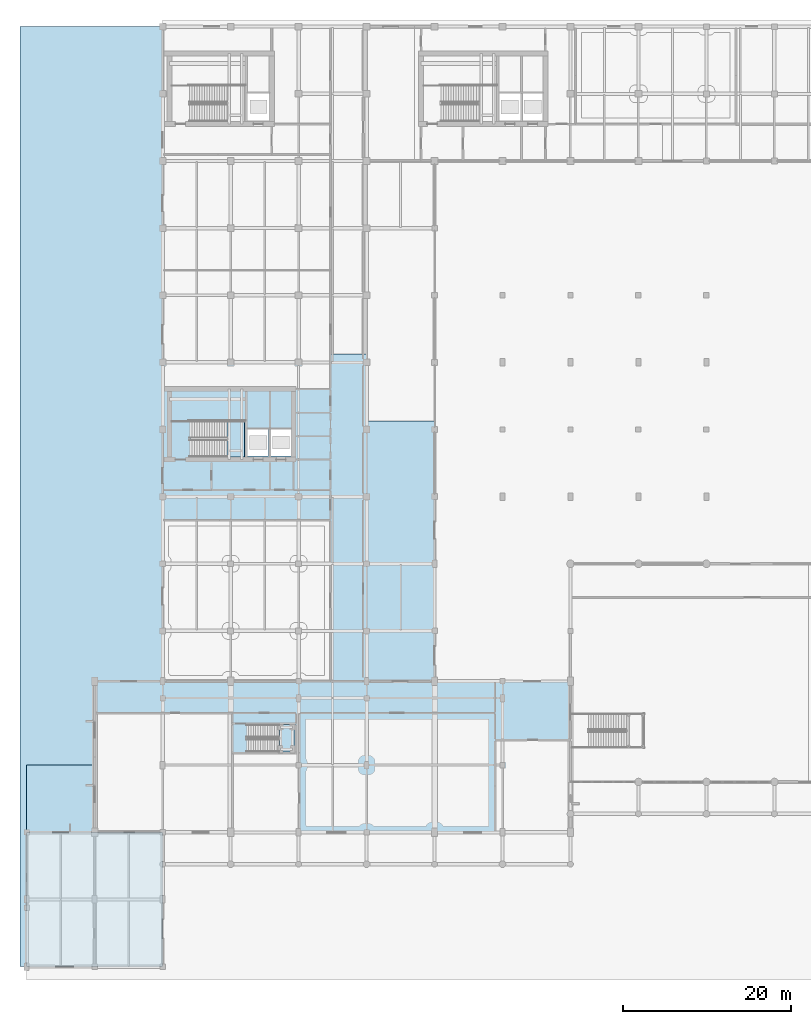
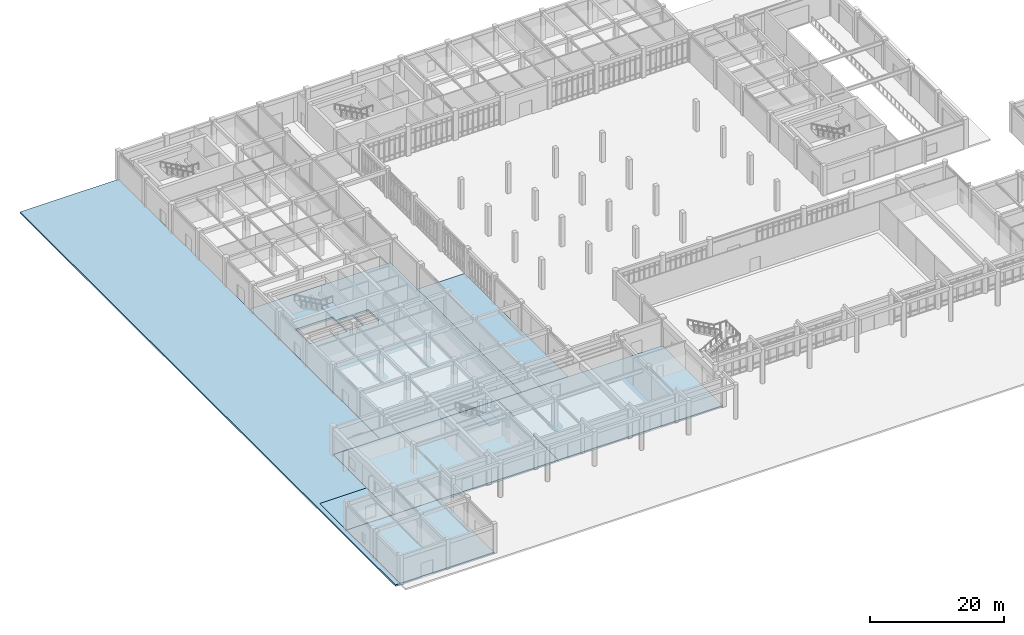
# One storey, part 28 of 62: 9 slabs, 2 elements without a shape of their own.
"""IFC4 building model written with IfcOpenShell, lengths in metres."""

import ifcopenshell
import ifcopenshell.guid

model = None  # the IFC model being written
_history = None  # IfcOwnerHistory: only IFC2X3 demands one
_inside = {}  # id of a spatial element -> (the spatial element, [elements in it])
_under = {}  # id of a project, library or spatial element -> (it, [spatial elements below it])
_declared = {}  # id of a project -> (the project, [libraries it declares])
_typed = {}  # id of a type object -> (the type object, [elements of that type])
_made_of = {}  # id of a material, layer set ... -> (it, [elements and type objects made of it])


def new_model(schema):
    """Start an empty IFC model of exactly this schema.

    Asked for "IFC4X3", IfcOpenShell would pick the latest addendum, in which some entities
    have other attributes; the version numbers below select the first issue.
    IFC2X3 requires an IfcOwnerHistory on every rooted entity: one is made here for all.
    """
    global model, _history
    if schema == "IFC4X3":
        model = ifcopenshell.file(schema_version=(4, 3, 0, 0))
    else:
        model = ifcopenshell.file(schema=schema)
    _inside.clear()
    _under.clear()
    _declared.clear()
    _typed.clear()
    _made_of.clear()
    _history = None
    if model.schema == "IFC2X3":
        org = make("IfcOrganization", Name="unknown")
        user = make(
            "IfcPersonAndOrganization",
            ThePerson=make("IfcPerson", FamilyName="unknown"),
            TheOrganization=org,
        )
        app = make(
            "IfcApplication",
            ApplicationDeveloper=org,
            Version="unknown",
            ApplicationFullName="unknown",
            ApplicationIdentifier="unknown",
        )
        _history = make(
            "IfcOwnerHistory",
            OwningUser=user,
            OwningApplication=app,
            ChangeAction="ADDED",
            CreationDate=0,
        )
    return model


def make(cls, **values):
    """One entity of the class cls with the attributes given. An attribute that is None is left unset."""
    return model.create_entity(
        cls, **{name: value for name, value in values.items() if value is not None}
    )


def rooted(cls, **values):
    """An entity with a GlobalId (a new one), such as an element, a storey or a relation."""
    return make(cls, GlobalId=ifcopenshell.guid.new(), OwnerHistory=_history, **values)


def si_unit(unit_type, name, prefix=None):
    """IfcSIUnit, for example si_unit("LENGTHUNIT", "METRE", prefix="MILLI")."""
    return make("IfcSIUnit", UnitType=unit_type, Prefix=prefix, Name=name)


def assignment(units):
    """IfcUnitAssignment: the units of a project."""
    return None if units is None else make("IfcUnitAssignment", Units=units)


def point(xyz):
    """IfcCartesianPoint."""
    return None if xyz is None else make("IfcCartesianPoint", Coordinates=xyz)


def direction(xyz):
    """IfcDirection."""
    return None if xyz is None else make("IfcDirection", DirectionRatios=xyz)


def frame(location, z_axis=None, x_axis=None):
    """IfcAxis2Placement3D, a coordinate frame: its origin and axes. An axis left out is left unset."""
    return make(
        "IfcAxis2Placement3D",
        Location=point(location),
        Axis=direction(z_axis),
        RefDirection=direction(x_axis),
    )


def origin():
    """The frame at (0, 0, 0) with its axes left unset."""
    return frame((0.0, 0.0, 0.0))


def place(relative_to, where):
    """IfcLocalPlacement: puts the frame where relative to a parent placement (None: the world)."""
    return make(
        "IfcLocalPlacement", PlacementRelTo=relative_to, RelativePlacement=where
    )


def context(
    kind, dimensions, precision=None, world=None, true_north=None, identifier=None
):
    """IfcGeometricRepresentationContext, for example the 3D "Model" context."""
    return make(
        "IfcGeometricRepresentationContext",
        ContextIdentifier=identifier,
        ContextType=kind,
        CoordinateSpaceDimension=dimensions,
        Precision=precision,
        WorldCoordinateSystem=world,
        TrueNorth=true_north,
    )


def subcontext(parent, identifier, kind, view, scale=None):
    """IfcGeometricRepresentationSubContext, for example "Body" below "Model"."""
    return make(
        "IfcGeometricRepresentationSubContext",
        ContextIdentifier=identifier,
        ContextType=kind,
        ParentContext=parent,
        TargetScale=scale,
        TargetView=view,
    )


def project(units=None, contexts=None):
    """IfcProject with its units and contexts."""
    return rooted(
        "IfcProject",
        Name="project",
        RepresentationContexts=contexts,
        UnitsInContext=assignment(units),
    )


def spatial(cls, under=None, at=None, **own):
    """A site, building, storey or space (cls), placed at a placement, below another one or the project."""
    s = rooted(cls, ObjectPlacement=at, **own)
    if under is not None:
        _under.setdefault(under.id(), (under, []))[1].append(s)
    return s


def polyline(points):
    """IfcPolyline through the points."""
    return make("IfcPolyline", Points=[point(p) for p in points])


def outline(outer, holes=None, kind="AREA"):
    """IfcArbitraryClosedProfileDef: a profile drawn as a closed curve; with holes, ...WithVoids."""
    if holes is None:
        return make("IfcArbitraryClosedProfileDef", ProfileType=kind, OuterCurve=outer)
    return make(
        "IfcArbitraryProfileDefWithVoids",
        ProfileType=kind,
        OuterCurve=outer,
        InnerCurves=holes,
    )


def extrude(swept, where, along, depth):
    """IfcExtrudedAreaSolid: the profile swept, set in the frame where, extruded along a direction by depth."""
    return make(
        "IfcExtrudedAreaSolid",
        SweptArea=swept,
        Position=where,
        ExtrudedDirection=direction(along),
        Depth=depth,
    )


def shape(context_of_items, identifier, shape_type, items):
    """IfcShapeRepresentation: the items that make up one representation, for example the "Body"."""
    return make(
        "IfcShapeRepresentation",
        ContextOfItems=context_of_items,
        RepresentationIdentifier=identifier,
        RepresentationType=shape_type,
        Items=items,
    )


def material(Name=None, Category=None):
    """IfcMaterial."""
    return make("IfcMaterial", Name=Name, Category=Category)


def layer(
    of_material, thickness, ventilated=None, Name=None, Category=None, Priority=None
):
    """IfcMaterialLayer: one layer of a wall or slab, of a material (None: an air gap)."""
    return make(
        "IfcMaterialLayer",
        Material=of_material,
        LayerThickness=thickness,
        IsVentilated=ventilated,
        Name=Name,
        Category=Category,
        Priority=Priority,
    )


def layer_set(layers, Name=None):
    """IfcMaterialLayerSet."""
    return make("IfcMaterialLayerSet", MaterialLayers=layers, LayerSetName=Name)


def made_of(thing, what):
    """Note that an element or type object is made of a material, layer set ...; save() writes the relation."""
    if what is not None:
        _made_of.setdefault(what.id(), (what, []))[1].append(thing)
    return thing


def type_object(cls, material=None, **own):
    """A type object (cls), such as IfcWallType, which elements share."""
    return made_of(rooted(cls, **own), material)


def element(
    cls,
    number,
    at=None,
    inside=None,
    cuts=None,
    type_object=None,
    material=None,
    context=None,
    identifier="Body",
    shape_type=None,
    held_by="IfcProductDefinitionShape",
    body=None,
    shapes=None,
    **own,
):
    """One element of the class cls, such as IfcWall. Its Tag is "e" and its number.

    at: its placement. inside: the storey or other place that contains it. cuts: it is an
    opening in that element (IfcRelVoidsElement). A single representation is given by context,
    identifier, shape_type and body (its items); several are given by shapes. held_by: the class
    of the entity that holds the representations. save() writes the other relations.
    """
    e = rooted(cls, Tag="e%d" % number, ObjectPlacement=at, **own)
    if body is not None:
        shapes = [shape(context, identifier, shape_type, body)]
    if shapes is not None:
        e.Representation = make(held_by, Representations=shapes)
    if inside is not None:
        _inside.setdefault(inside.id(), (inside, []))[1].append(e)
    if cuts is not None:
        rooted(
            "IfcRelVoidsElement", RelatingBuildingElement=cuts, RelatedOpeningElement=e
        )
    if type_object is not None:
        _typed.setdefault(type_object.id(), (type_object, []))[1].append(e)
    return made_of(e, material)


def aggregate(whole, parts):
    """IfcRelAggregates: a whole, such as a stair, and the parts it consists of."""
    return rooted("IfcRelAggregates", RelatingObject=whole, RelatedObjects=parts)


def save(model, path):
    """Write the relations noted so far, then the file.

    IfcRelAggregates (storeys below a building ...), IfcRelContainedInSpatialStructure (elements
    in a storey), IfcRelDefinesByType, IfcRelAssociatesMaterial and IfcRelDeclares: one each for
    every whole, place, type object, material and project.
    """
    for whole, parts in _under.values():
        aggregate(whole, parts)
    for where, things in _inside.values():
        rooted(
            "IfcRelContainedInSpatialStructure",
            RelatedElements=things,
            RelatingStructure=where,
        )
    for kind, things in _typed.values():
        rooted("IfcRelDefinesByType", RelatedObjects=things, RelatingType=kind)
    for what, things in _made_of.values():
        rooted("IfcRelAssociatesMaterial", RelatedObjects=things, RelatingMaterial=what)
    for by, libraries in _declared.values():
        rooted("IfcRelDeclares", RelatingContext=by, RelatedDefinitions=libraries)
    model.write(path)


model = new_model("IFC4")

# Units and contexts
model_context = context("Model", 3, precision=1e-05, world=origin(), true_north=direction((0.0, 1.0)))
body_context = subcontext(model_context, "Body", "Model", "MODEL_VIEW")
ifc_project = project(units=[si_unit("LENGTHUNIT", "METRE"), si_unit("AREAUNIT", "SQUARE_METRE"), si_unit("VOLUMEUNIT", "CUBIC_METRE"), si_unit("PLANEANGLEUNIT", "RADIAN"), si_unit("MASSUNIT", "GRAM", prefix="KILO")], contexts=[model_context])

# Site, building, storey
site_placement = place(None, origin())
site = spatial("IfcSite", under=ifc_project, at=site_placement, CompositionType="ELEMENT")
building_placement = place(site_placement, origin())
building = spatial("IfcBuilding", under=site, at=building_placement, Name="Tarnveldt Square Police Headquarters", CompositionType="ELEMENT")
storey_placement = place(building_placement, origin())
storey = spatial("IfcBuildingStorey", under=building, at=storey_placement, Name="L00", CompositionType="ELEMENT", Elevation=0.0)

# Slabs
ifc_material = material(Name="Concrete 40 MPa", Category="concrete")
ifc_layer_1 = layer(ifc_material, 0.2900390625)
ifc_layer_set_1 = layer_set([ifc_layer_1], Name="Concrete 40 MPa")
slab_type_1 = type_object("IfcSlabType", Name="SL-APRON-290", PredefinedType="FLOOR", material=ifc_layer_set_1)
slab_1_placement = place(storey_placement, frame((0.0, 0.0, -0.2900390625)))
element("IfcSlab", 1, at=slab_1_placement, inside=storey, type_object=slab_type_1, Name="Exterior Civic Plaza Paving SLB-EXT-SQ-S-2", PredefinedType="FLOOR", context=body_context, shape_type="SweptSolid", body=[
    extrude(outline(polyline([(0.0, 24.0), (8.10009765625, 24.0), (8.10009765625, 16.0), (0.0, 16.0), (0.0, 24.0)])), origin(), (0.0, 0.0, 1.0), 0.2900390625),
])
slab_2_placement = place(storey_placement, frame((0.0, 0.0, -0.2900390625)))
element("IfcSlab", 2, at=slab_2_placement, inside=storey, type_object=slab_type_1, Name="Exterior Civic Plaza Paving SLB-EXT-WALK-W-1", PredefinedType="FLOOR", context=body_context, shape_type="SweptSolid", body=[
    extrude(outline(polyline([(16.199951171875, 34.0), (8.10009765625, 34.0), (8.10009765625, 24.0), (0.0, 24.0), (0.0, 16.0), (0.0, 0.0), (-0.800048828125, 0.0), (-0.800048828125, 112.0), (16.199951171875, 112.0), (16.199951171875, 34.0)])), origin(), (0.0, 0.0, 1.0), 0.2900390625),
])
ifc_layer_2 = layer(ifc_material, 0.35009765625)
ifc_layer_set_2 = layer_set([ifc_layer_2], Name="Concrete 40 MPa")
slab_type_2 = type_object("IfcSlabType", Name="SL-L00-350", PredefinedType="FLOOR", material=ifc_layer_set_2)
slab_3_placement = place(storey_placement, frame((0.0, 0.0, -0.35009765625)))
element("IfcSlab", 3, at=slab_3_placement, inside=storey, type_object=slab_type_2, Name="L00 Structural Floor Slab L00-V4-SW-1", PredefinedType="FLOOR", context=body_context, shape_type="SweptSolid", body=[
    extrude(outline(polyline([(16.199951171875, 16.0), (16.199951171875, 0.0), (0.0, 0.0), (0.0, 16.0), (16.199951171875, 16.0)])), origin(), (0.0, 0.0, 1.0), 0.35009765625),
])
slab_4_placement = place(storey_placement, frame((0.0, 0.0, -0.35009765625)))
element("IfcSlab", 4, at=slab_4_placement, inside=storey, type_object=slab_type_2, Name="L00 Structural Floor Slab L00-V4-1", PredefinedType="FLOOR", context=body_context, shape_type="SweptSolid", body=[
    extrude(outline(polyline([(16.199951171875, 16.0), (8.10009765625, 16.0), (8.10009765625, 34.0), (36.449951171875, 34.0), (36.449951171875, 16.0), (16.199951171875, 16.0)])), origin(), (0.0, 0.0, 1.0), 0.35009765625),
])
slab_5_placement = place(storey_placement, frame((0.0, 0.0, -0.35009765625)))
element("IfcSlab", 5, at=slab_5_placement, inside=storey, type_object=slab_type_2, Name="L00 Structural Floor Slab L00-V4-2", PredefinedType="FLOOR", context=body_context, shape_type="SweptSolid", body=[
    extrude(outline(polyline([(64.800048828125, 16.0), (36.449951171875, 16.0), (36.449951171875, 34.0), (64.800048828125, 34.0), (64.800048828125, 16.0)])), origin(), (0.0, 0.0, 1.0), 0.35009765625),
])
slab_6_placement = place(storey_placement, frame((0.0, 0.0, -0.35009765625)))
element("IfcSlab", 6, at=slab_6_placement, inside=storey, type_object=slab_type_2, Name="L00 Structural Floor Slab L00-V5-1", PredefinedType="FLOOR", context=body_context, shape_type="SweptSolid", body=[
    extrude(outline(polyline([(40.5, 34.0), (16.199951171875, 34.0), (16.199951171875, 73.0), (40.5, 73.0), (40.5, 34.0)]), holes=[polyline([(26.330078125, 60.85009765625), (28.8349609375, 60.85009765625), (28.8349609375, 64.050048828125), (26.330078125, 64.050048828125), (26.330078125, 60.85009765625)]), polyline([(29.114990234375, 60.85009765625), (31.47998046875, 60.85009765625), (31.47998046875, 64.050048828125), (29.114990234375, 64.050048828125), (29.114990234375, 60.85009765625)]), polyline([(19.510009765625, 60.719970703125), (25.969970703125, 60.719970703125), (25.969970703125, 65.02001953125), (19.510009765625, 65.02001953125), (19.510009765625, 60.719970703125)])]), origin(), (0.0, 0.0, 1.0), 0.35009765625),
])
slab_7_placement = place(storey_placement, frame((0.0, 0.0, -0.35009765625)))
element("IfcSlab", 7, at=slab_7_placement, inside=storey, type_object=slab_type_2, Name="L00 Structural Floor Slab L00-WG-1", PredefinedType="FLOOR", context=body_context, shape_type="SweptSolid", body=[
    extrude(outline(polyline([(40.5, 65.0), (48.60009765625, 65.0), (48.60009765625, 34.0), (40.5, 34.0), (40.5, 65.0)])), origin(), (0.0, 0.0, 1.0), 0.35009765625),
])

# Stair, slab
stair_type_1 = type_object("IfcStairType", Name="STR-HT-48A", PredefinedType="HALF_TURN_STAIR", material=ifc_material)
stair_1_placement = place(storey_placement, origin())
stair_1 = element("IfcStair", 8, at=stair_1_placement, inside=storey, type_object=stair_type_1, Name="L00 Core K1 Exit Stair ST1", PredefinedType="HALF_TURN_STAIR")
ifc_layer_3 = layer(ifc_material, 0.179931640625)
ifc_layer_set_3 = layer_set([ifc_layer_3], Name="Concrete 40 MPa")
slab_type_3 = type_object("IfcSlabType", Name="SL-LND-180", PredefinedType="LANDING", material=ifc_layer_set_3)
slab_8_placement = place(storey_placement, frame((0.0, 0.0, 2.5)))
slab_8 = element("IfcSlab", 9, at=slab_8_placement, type_object=slab_type_3, Name="ST1 landing 1", PredefinedType="LANDING", context=body_context, shape_type="SweptSolid", body=[
    extrude(outline(polyline([(23.8701171875, 60.719970703125), (25.969970703125, 60.719970703125), (25.969970703125, 65.02001953125), (23.8701171875, 65.02001953125), (23.8701171875, 60.719970703125)])), origin(), (0.0, 0.0, 1.0), 0.199951171875),
])
aggregate(stair_1, [slab_8])

stair_type_2 = type_object("IfcStairType", Name="STR-HT-48C", PredefinedType="HALF_TURN_STAIR", material=ifc_material)
stair_2_placement = place(storey_placement, origin())
stair_2 = element("IfcStair", 10, at=stair_2_placement, inside=storey, type_object=stair_type_2, Name="L00 Plinth and Command Lantern Exit Stair ST6", PredefinedType="HALF_TURN_STAIR")
slab_9_placement = place(storey_placement, frame((0.0, 0.0, 2.5)))
slab_9 = element("IfcSlab", 11, at=slab_9_placement, type_object=slab_type_3, Name="ST6 landing 1", PredefinedType="LANDING", context=body_context, shape_type="SweptSolid", body=[
    extrude(outline(polyline([(30.090087890625, 25.580078125), (31.949951171875, 25.580078125), (31.949951171875, 28.820068359375), (30.090087890625, 28.820068359375), (30.090087890625, 25.580078125)])), origin(), (0.0, 0.0, 1.0), 0.199951171875),
])
aggregate(stair_2, [slab_9])

save(model, "model.ifc")
